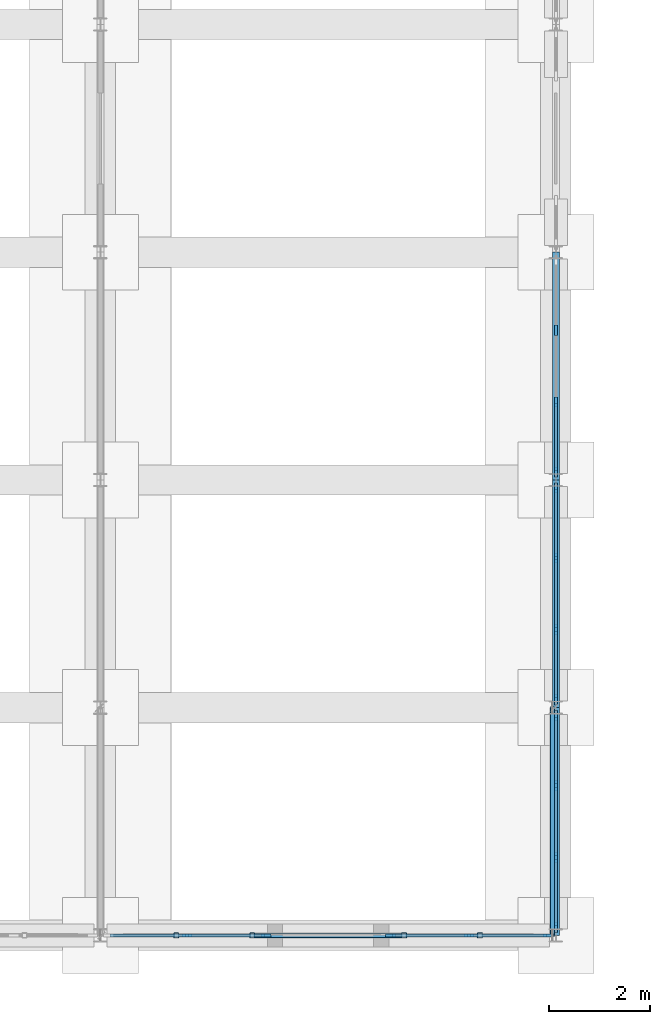
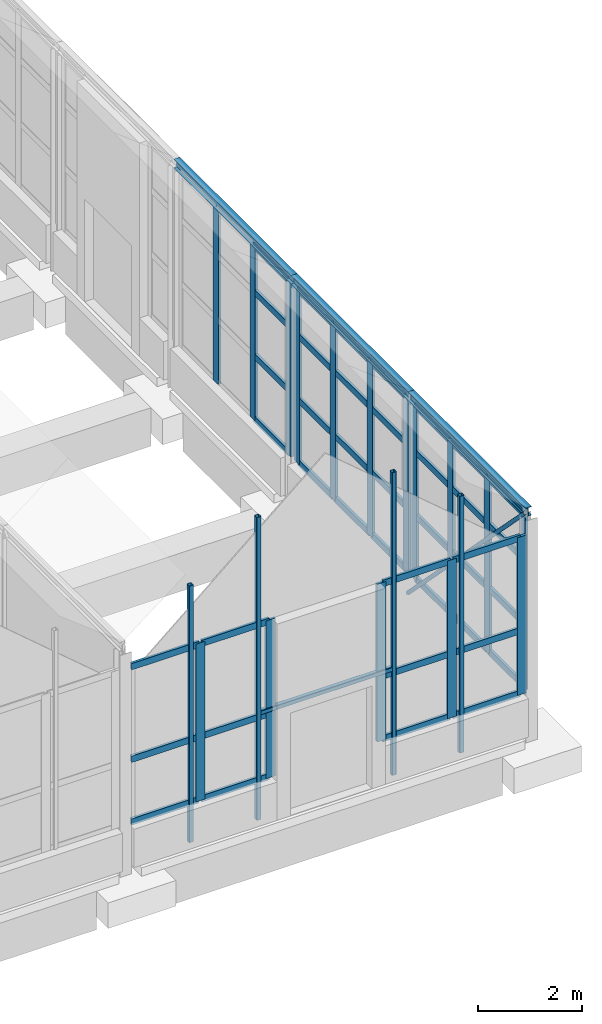
# One storey, part 46 of 106: 62 members, 3 beams, 5 elements without a shape of their own.
"""IFC4 building model written with IfcOpenShell, lengths in metres."""

import ifcopenshell
import ifcopenshell.guid

model = None  # the IFC model being written
_history = None  # IfcOwnerHistory: only IFC2X3 demands one
_inside = {}  # id of a spatial element -> (the spatial element, [elements in it])
_under = {}  # id of a project, library or spatial element -> (it, [spatial elements below it])
_declared = {}  # id of a project -> (the project, [libraries it declares])
_typed = {}  # id of a type object -> (the type object, [elements of that type])
_made_of = {}  # id of a material, layer set ... -> (it, [elements and type objects made of it])


def new_model(schema):
    """Start an empty IFC model of exactly this schema.

    Asked for "IFC4X3", IfcOpenShell would pick the latest addendum, in which some entities
    have other attributes; the version numbers below select the first issue.
    IFC2X3 requires an IfcOwnerHistory on every rooted entity: one is made here for all.
    """
    global model, _history
    if schema == "IFC4X3":
        model = ifcopenshell.file(schema_version=(4, 3, 0, 0))
    else:
        model = ifcopenshell.file(schema=schema)
    _inside.clear()
    _under.clear()
    _declared.clear()
    _typed.clear()
    _made_of.clear()
    _history = None
    if model.schema == "IFC2X3":
        org = make("IfcOrganization", Name="unknown")
        user = make(
            "IfcPersonAndOrganization",
            ThePerson=make("IfcPerson", FamilyName="unknown"),
            TheOrganization=org,
        )
        app = make(
            "IfcApplication",
            ApplicationDeveloper=org,
            Version="unknown",
            ApplicationFullName="unknown",
            ApplicationIdentifier="unknown",
        )
        _history = make(
            "IfcOwnerHistory",
            OwningUser=user,
            OwningApplication=app,
            ChangeAction="ADDED",
            CreationDate=0,
        )
    return model


def make(cls, **values):
    """One entity of the class cls with the attributes given. An attribute that is None is left unset."""
    return model.create_entity(
        cls, **{name: value for name, value in values.items() if value is not None}
    )


def rooted(cls, **values):
    """An entity with a GlobalId (a new one), such as an element, a storey or a relation."""
    return make(cls, GlobalId=ifcopenshell.guid.new(), OwnerHistory=_history, **values)


def si_unit(unit_type, name, prefix=None):
    """IfcSIUnit, for example si_unit("LENGTHUNIT", "METRE", prefix="MILLI")."""
    return make("IfcSIUnit", UnitType=unit_type, Prefix=prefix, Name=name)


def assignment(units):
    """IfcUnitAssignment: the units of a project."""
    return None if units is None else make("IfcUnitAssignment", Units=units)


def point(xyz):
    """IfcCartesianPoint."""
    return None if xyz is None else make("IfcCartesianPoint", Coordinates=xyz)


def direction(xyz):
    """IfcDirection."""
    return None if xyz is None else make("IfcDirection", DirectionRatios=xyz)


def frame(location, z_axis=None, x_axis=None):
    """IfcAxis2Placement3D, a coordinate frame: its origin and axes. An axis left out is left unset."""
    return make(
        "IfcAxis2Placement3D",
        Location=point(location),
        Axis=direction(z_axis),
        RefDirection=direction(x_axis),
    )


def frame_2d(location, x_axis=None):
    """IfcAxis2Placement2D, a coordinate frame in the plane: its origin and x axis."""
    return make(
        "IfcAxis2Placement2D", Location=point(location), RefDirection=direction(x_axis)
    )


def origin():
    """The frame at (0, 0, 0) with its axes left unset."""
    return frame((0.0, 0.0, 0.0))


def origin_2d():
    """The frame at (0, 0) in the plane with its x axis left unset."""
    return frame_2d((0.0, 0.0))


def place(relative_to, where):
    """IfcLocalPlacement: puts the frame where relative to a parent placement (None: the world)."""
    return make(
        "IfcLocalPlacement", PlacementRelTo=relative_to, RelativePlacement=where
    )


def context(
    kind, dimensions, precision=None, world=None, true_north=None, identifier=None
):
    """IfcGeometricRepresentationContext, for example the 3D "Model" context."""
    return make(
        "IfcGeometricRepresentationContext",
        ContextIdentifier=identifier,
        ContextType=kind,
        CoordinateSpaceDimension=dimensions,
        Precision=precision,
        WorldCoordinateSystem=world,
        TrueNorth=true_north,
    )


def subcontext(parent, identifier, kind, view, scale=None):
    """IfcGeometricRepresentationSubContext, for example "Body" below "Model"."""
    return make(
        "IfcGeometricRepresentationSubContext",
        ContextIdentifier=identifier,
        ContextType=kind,
        ParentContext=parent,
        TargetScale=scale,
        TargetView=view,
    )


def project(units=None, contexts=None):
    """IfcProject with its units and contexts."""
    return rooted(
        "IfcProject",
        Name="project",
        RepresentationContexts=contexts,
        UnitsInContext=assignment(units),
    )


def spatial(cls, under=None, at=None, **own):
    """A site, building, storey or space (cls), placed at a placement, below another one or the project."""
    s = rooted(cls, ObjectPlacement=at, **own)
    if under is not None:
        _under.setdefault(under.id(), (under, []))[1].append(s)
    return s


def profile(cls, at=None, kind="AREA", **sizes):
    """A parametric profile (cls). Its sizes go by their IFC names, for example OverallWidth=200.0."""
    return make(cls, ProfileType=kind, Position=at, **sizes)


def rectangle(**sizes):
    """IfcRectangleProfileDef."""
    return profile("IfcRectangleProfileDef", **sizes)


def hollow_rectangle(**sizes):
    """IfcRectangleHollowProfileDef."""
    return profile("IfcRectangleHollowProfileDef", **sizes)


def hollow_circle(**sizes):
    """IfcCircleHollowProfileDef."""
    return profile("IfcCircleHollowProfileDef", **sizes)


def i_section(**sizes):
    """IfcIShapeProfileDef."""
    return profile("IfcIShapeProfileDef", **sizes)


def extrude(swept, where, along, depth):
    """IfcExtrudedAreaSolid: the profile swept, set in the frame where, extruded along a direction by depth."""
    return make(
        "IfcExtrudedAreaSolid",
        SweptArea=swept,
        Position=where,
        ExtrudedDirection=direction(along),
        Depth=depth,
    )


def shape(context_of_items, identifier, shape_type, items):
    """IfcShapeRepresentation: the items that make up one representation, for example the "Body"."""
    return make(
        "IfcShapeRepresentation",
        ContextOfItems=context_of_items,
        RepresentationIdentifier=identifier,
        RepresentationType=shape_type,
        Items=items,
    )


def material(Name=None, Category=None):
    """IfcMaterial."""
    return make("IfcMaterial", Name=Name, Category=Category)


def layer(
    of_material, thickness, ventilated=None, Name=None, Category=None, Priority=None
):
    """IfcMaterialLayer: one layer of a wall or slab, of a material (None: an air gap)."""
    return make(
        "IfcMaterialLayer",
        Material=of_material,
        LayerThickness=thickness,
        IsVentilated=ventilated,
        Name=Name,
        Category=Category,
        Priority=Priority,
    )


def layer_set(layers, Name=None):
    """IfcMaterialLayerSet."""
    return make("IfcMaterialLayerSet", MaterialLayers=layers, LayerSetName=Name)


def material_profile(
    of_material, cross_section, Name=None, Category=None, Priority=None
):
    """IfcMaterialProfile: a cross section and its material."""
    return make(
        "IfcMaterialProfile",
        Name=Name,
        Material=of_material,
        Profile=cross_section,
        Priority=Priority,
        Category=Category,
    )


def profile_set(profiles, Name=None, composite=None):
    """IfcMaterialProfileSet."""
    return make(
        "IfcMaterialProfileSet",
        Name=Name,
        MaterialProfiles=profiles,
        CompositeProfile=composite,
    )


def made_of(thing, what):
    """Note that an element or type object is made of a material, layer set ...; save() writes the relation."""
    if what is not None:
        _made_of.setdefault(what.id(), (what, []))[1].append(thing)
    return thing


def type_object(cls, material=None, **own):
    """A type object (cls), such as IfcWallType, which elements share."""
    return made_of(rooted(cls, **own), material)


def element(
    cls,
    number,
    at=None,
    inside=None,
    cuts=None,
    type_object=None,
    material=None,
    context=None,
    identifier="Body",
    shape_type=None,
    held_by="IfcProductDefinitionShape",
    body=None,
    shapes=None,
    **own,
):
    """One element of the class cls, such as IfcWall. Its Tag is "e" and its number.

    at: its placement. inside: the storey or other place that contains it. cuts: it is an
    opening in that element (IfcRelVoidsElement). A single representation is given by context,
    identifier, shape_type and body (its items); several are given by shapes. held_by: the class
    of the entity that holds the representations. save() writes the other relations.
    """
    e = rooted(cls, Tag="e%d" % number, ObjectPlacement=at, **own)
    if body is not None:
        shapes = [shape(context, identifier, shape_type, body)]
    if shapes is not None:
        e.Representation = make(held_by, Representations=shapes)
    if inside is not None:
        _inside.setdefault(inside.id(), (inside, []))[1].append(e)
    if cuts is not None:
        rooted(
            "IfcRelVoidsElement", RelatingBuildingElement=cuts, RelatedOpeningElement=e
        )
    if type_object is not None:
        _typed.setdefault(type_object.id(), (type_object, []))[1].append(e)
    return made_of(e, material)


def aggregate(whole, parts):
    """IfcRelAggregates: a whole, such as a stair, and the parts it consists of."""
    return rooted("IfcRelAggregates", RelatingObject=whole, RelatedObjects=parts)


def save(model, path):
    """Write the relations noted so far, then the file.

    IfcRelAggregates (storeys below a building ...), IfcRelContainedInSpatialStructure (elements
    in a storey), IfcRelDefinesByType, IfcRelAssociatesMaterial and IfcRelDeclares: one each for
    every whole, place, type object, material and project.
    """
    for whole, parts in _under.values():
        aggregate(whole, parts)
    for where, things in _inside.values():
        rooted(
            "IfcRelContainedInSpatialStructure",
            RelatedElements=things,
            RelatingStructure=where,
        )
    for kind, things in _typed.values():
        rooted("IfcRelDefinesByType", RelatedObjects=things, RelatingType=kind)
    for what, things in _made_of.values():
        rooted("IfcRelAssociatesMaterial", RelatedObjects=things, RelatingMaterial=what)
    for by, libraries in _declared.values():
        rooted("IfcRelDeclares", RelatingContext=by, RelatedDefinitions=libraries)
    model.write(path)


model = new_model("IFC4")

# Units and contexts
model_context = context("Model", 3, precision=1e-05, world=origin(), true_north=direction((0.0, 1.0)))
body_context = subcontext(model_context, "Body", "Model", "MODEL_VIEW")
ifc_project = project(units=[si_unit("LENGTHUNIT", "METRE"), si_unit("AREAUNIT", "SQUARE_METRE"), si_unit("VOLUMEUNIT", "CUBIC_METRE"), si_unit("PLANEANGLEUNIT", "RADIAN"), si_unit("MASSUNIT", "GRAM", prefix="KILO")], contexts=[model_context])

# Site, building, storey
site_placement = place(None, origin())
site = spatial("IfcSite", under=ifc_project, at=site_placement, CompositionType="ELEMENT")
building_placement = place(site_placement, origin())
building = spatial("IfcBuilding", under=site, at=building_placement, Name="Hortulan Conservatory and Botanical Research Centre", CompositionType="ELEMENT")
storey_placement = place(building_placement, origin())
storey = spatial("IfcBuildingStorey", under=building, at=storey_placement, Name="L00", CompositionType="ELEMENT", Elevation=0.0)

# Curtain wall, members
ifc_material_1 = material(Name="Bronze-finished aluminium", Category="aluminium")
ifc_layer = layer(ifc_material_1, 0.10009765625)
ifc_layer_set = layer_set([ifc_layer], Name="Bronze-framed Curtain Wall 1500 module")
curtain_wall_type = type_object("IfcCurtainWallType", Name="Bronze-framed Curtain Wall 1500 module", PredefinedType="NOTDEFINED", material=ifc_layer_set)
curtain_wall_1_placement = place(storey_placement, origin())
curtain_wall_1 = element("IfcCurtainWall", 1, at=curtain_wall_1_placement, inside=storey, type_object=curtain_wall_type, Name="Curtain wall", PredefinedType="NOTDEFINED")
ifc_material_profile_1 = material_profile(ifc_material_1, rectangle(XDim=0.06005859375, YDim=0.199951171875, at=origin_2d()), Name="Bronze Mullion 60x200")
ifc_profile_set_1 = profile_set([ifc_material_profile_1], Name="Bronze-finished aluminium")
member_type_1 = type_object("IfcMemberType", Name="Bronze Mullion 60x200", PredefinedType="MULLION", material=ifc_profile_set_1)
member_1_placement = place(storey_placement, frame((103.343017578125, 0.0, 0.89990234375), z_axis=(0.0, 0.0, 1.0), x_axis=(0.0, -1.0, 0.0)))
member_1 = element("IfcMember", 2, at=member_1_placement, type_object=member_type_1, Name="CW1 mullion 1", PredefinedType="MULLION", context=body_context, shape_type="SweptSolid", body=[
    extrude(rectangle(XDim=0.06005859375, YDim=0.199951171875, at=origin_2d()), origin(), (0.0, 0.0, 1.0), 3.7001953125),
])
member_2_placement = place(storey_placement, frame((101.78662109375, 0.0, 0.89990234375), z_axis=(0.0, 0.0, 1.0), x_axis=(0.0, -1.0, 0.0)))
member_2 = element("IfcMember", 3, at=member_2_placement, type_object=member_type_1, Name="CW1 mullion 2", PredefinedType="MULLION", context=body_context, shape_type="SweptSolid", body=[
    extrude(rectangle(XDim=0.06005859375, YDim=0.199951171875, at=origin_2d()), origin(), (0.0, 0.0, 1.0), 3.7001953125),
])
member_3_placement = place(storey_placement, frame((100.22998046875, 0.0, 0.89990234375), z_axis=(0.0, 0.0, 1.0), x_axis=(0.0, -1.0, 0.0)))
member_3 = element("IfcMember", 4, at=member_3_placement, type_object=member_type_1, Name="CW1 mullion 3", PredefinedType="MULLION", context=body_context, shape_type="SweptSolid", body=[
    extrude(rectangle(XDim=0.06005859375, YDim=0.199951171875, at=origin_2d()), origin(), (0.0, 0.0, 1.0), 3.7001953125),
])

curtain_wall_2_placement = place(storey_placement, origin())
curtain_wall_2 = element("IfcCurtainWall", 5, at=curtain_wall_2_placement, inside=storey, type_object=curtain_wall_type, Name="Curtain wall", PredefinedType="NOTDEFINED")
member_4_placement = place(storey_placement, frame((97.77001953125, 0.0, 0.89990234375), z_axis=(0.0, 0.0, 1.0), x_axis=(0.0, -1.0, 0.0)))
member_4 = element("IfcMember", 6, at=member_4_placement, type_object=member_type_1, Name="CW1 mullion 1", PredefinedType="MULLION", context=body_context, shape_type="SweptSolid", body=[
    extrude(rectangle(XDim=0.06005859375, YDim=0.199951171875, at=origin_2d()), origin(), (0.0, 0.0, 1.0), 3.7001953125),
])
member_5_placement = place(storey_placement, frame((96.21337890625, 0.0, 0.89990234375), z_axis=(0.0, 0.0, 1.0), x_axis=(0.0, -1.0, 0.0)))
member_5 = element("IfcMember", 7, at=member_5_placement, type_object=member_type_1, Name="CW1 mullion 2", PredefinedType="MULLION", context=body_context, shape_type="SweptSolid", body=[
    extrude(rectangle(XDim=0.06005859375, YDim=0.199951171875, at=origin_2d()), origin(), (0.0, 0.0, 1.0), 3.7001953125),
])

curtain_wall_3_placement = place(storey_placement, origin())
curtain_wall_3 = element("IfcCurtainWall", 8, at=curtain_wall_3_placement, inside=storey, type_object=curtain_wall_type, Name="Curtain wall", PredefinedType="NOTDEFINED")
member_6_placement = place(storey_placement, frame((103.5, 0.156982421875, 0.89990234375), z_axis=(0.0, 0.0, 1.0), x_axis=(-1.0, 0.0, 0.0)))
member_6 = element("IfcMember", 9, at=member_6_placement, type_object=member_type_1, Name="CW1 mullion 1", PredefinedType="MULLION", context=body_context, shape_type="SweptSolid", body=[
    extrude(rectangle(XDim=0.06005859375, YDim=0.199951171875, at=origin_2d()), origin(), (0.0, 0.0, 1.0), 4.10009765625),
])
member_7_placement = place(storey_placement, frame((103.5, 1.542236328125, 0.89990234375), z_axis=(0.0, 0.0, 1.0), x_axis=(-1.0, 0.0, 0.0)))
member_7 = element("IfcMember", 10, at=member_7_placement, type_object=member_type_1, Name="CW1 mullion 2", PredefinedType="MULLION", context=body_context, shape_type="SweptSolid", body=[
    extrude(rectangle(XDim=0.06005859375, YDim=0.199951171875, at=origin_2d()), origin(), (0.0, 0.0, 1.0), 4.10009765625),
])
member_8_placement = place(storey_placement, frame((103.5, 2.957763671875, 0.89990234375), z_axis=(0.0, 0.0, 1.0), x_axis=(-1.0, 0.0, 0.0)))
member_8 = element("IfcMember", 11, at=member_8_placement, type_object=member_type_1, Name="CW1 mullion 3", PredefinedType="MULLION", context=body_context, shape_type="SweptSolid", body=[
    extrude(rectangle(XDim=0.06005859375, YDim=0.199951171875, at=origin_2d()), origin(), (0.0, 0.0, 1.0), 4.10009765625),
])
member_9_placement = place(storey_placement, frame((103.5, 4.343017578125, 0.89990234375), z_axis=(0.0, 0.0, 1.0), x_axis=(-1.0, 0.0, 0.0)))
member_9 = element("IfcMember", 12, at=member_9_placement, type_object=member_type_1, Name="CW1 mullion 4", PredefinedType="MULLION", context=body_context, shape_type="SweptSolid", body=[
    extrude(rectangle(XDim=0.06005859375, YDim=0.199951171875, at=origin_2d()), origin(), (0.0, 0.0, 1.0), 4.10009765625),
])

curtain_wall_4_placement = place(storey_placement, origin())
curtain_wall_4 = element("IfcCurtainWall", 13, at=curtain_wall_4_placement, inside=storey, type_object=curtain_wall_type, Name="Curtain wall", PredefinedType="NOTDEFINED")
member_10_placement = place(storey_placement, frame((103.5, 4.656982421875, 0.89990234375), z_axis=(0.0, 0.0, 1.0), x_axis=(-1.0, 0.0, 0.0)))
member_10 = element("IfcMember", 14, at=member_10_placement, type_object=member_type_1, Name="CW1 mullion 1", PredefinedType="MULLION", context=body_context, shape_type="SweptSolid", body=[
    extrude(rectangle(XDim=0.06005859375, YDim=0.199951171875, at=origin_2d()), origin(), (0.0, 0.0, 1.0), 4.10009765625),
])
member_11_placement = place(storey_placement, frame((103.5, 6.042236328125, 0.89990234375), z_axis=(0.0, 0.0, 1.0), x_axis=(-1.0, 0.0, 0.0)))
member_11 = element("IfcMember", 15, at=member_11_placement, type_object=member_type_1, Name="CW1 mullion 2", PredefinedType="MULLION", context=body_context, shape_type="SweptSolid", body=[
    extrude(rectangle(XDim=0.06005859375, YDim=0.199951171875, at=origin_2d()), origin(), (0.0, 0.0, 1.0), 4.10009765625),
])
member_12_placement = place(storey_placement, frame((103.5, 7.457763671875, 0.89990234375), z_axis=(0.0, 0.0, 1.0), x_axis=(-1.0, 0.0, 0.0)))
member_12 = element("IfcMember", 16, at=member_12_placement, type_object=member_type_1, Name="CW1 mullion 3", PredefinedType="MULLION", context=body_context, shape_type="SweptSolid", body=[
    extrude(rectangle(XDim=0.06005859375, YDim=0.199951171875, at=origin_2d()), origin(), (0.0, 0.0, 1.0), 4.10009765625),
])
member_13_placement = place(storey_placement, frame((103.5, 8.843017578125, 0.89990234375), z_axis=(0.0, 0.0, 1.0), x_axis=(-1.0, 0.0, 0.0)))
member_13 = element("IfcMember", 17, at=member_13_placement, type_object=member_type_1, Name="CW1 mullion 4", PredefinedType="MULLION", context=body_context, shape_type="SweptSolid", body=[
    extrude(rectangle(XDim=0.06005859375, YDim=0.199951171875, at=origin_2d()), origin(), (0.0, 0.0, 1.0), 4.10009765625),
])

curtain_wall_5_placement = place(storey_placement, origin())
curtain_wall_5 = element("IfcCurtainWall", 18, at=curtain_wall_5_placement, inside=storey, type_object=curtain_wall_type, Name="Curtain wall", PredefinedType="NOTDEFINED")
member_14_placement = place(storey_placement, frame((103.5, 9.156982421875, 0.89990234375), z_axis=(0.0, 0.0, 1.0), x_axis=(-1.0, 0.0, 0.0)))
member_14 = element("IfcMember", 19, at=member_14_placement, type_object=member_type_1, Name="CW1 mullion 1", PredefinedType="MULLION", context=body_context, shape_type="SweptSolid", body=[
    extrude(rectangle(XDim=0.06005859375, YDim=0.199951171875, at=origin_2d()), origin(), (0.0, 0.0, 1.0), 4.10009765625),
])
member_15_placement = place(storey_placement, frame((103.5, 10.542236328125, 0.89990234375), z_axis=(0.0, 0.0, 1.0), x_axis=(-1.0, 0.0, 0.0)))
member_15 = element("IfcMember", 20, at=member_15_placement, type_object=member_type_1, Name="CW1 mullion 2", PredefinedType="MULLION", context=body_context, shape_type="SweptSolid", body=[
    extrude(rectangle(XDim=0.06005859375, YDim=0.199951171875, at=origin_2d()), origin(), (0.0, 0.0, 1.0), 4.10009765625),
])
member_16_placement = place(storey_placement, frame((103.5, 11.957763671875, 0.89990234375), z_axis=(0.0, 0.0, 1.0), x_axis=(-1.0, 0.0, 0.0)))
member_16 = element("IfcMember", 21, at=member_16_placement, type_object=member_type_1, Name="CW1 mullion 3", PredefinedType="MULLION", context=body_context, shape_type="SweptSolid", body=[
    extrude(rectangle(XDim=0.06005859375, YDim=0.199951171875, at=origin_2d()), origin(), (0.0, 0.0, 1.0), 4.10009765625),
])

# Member
ifc_material_profile_2 = material_profile(ifc_material_1, rectangle(XDim=0.06005859375, YDim=0.14990234375, at=origin_2d()), Name="Bronze Transom 60x150")
ifc_profile_set_2 = profile_set([ifc_material_profile_2], Name="Bronze-finished aluminium")
member_type_2 = type_object("IfcMemberType", Name="Bronze Transom 60x150", PredefinedType="USERDEFINED", material=ifc_profile_set_2)
member_17_placement = place(storey_placement, frame((103.31298828125, 0.0, 0.929931640625), z_axis=(-1.0, 0.0, 0.0), x_axis=(0.0, -1.0, 0.0)))
member_17 = element("IfcMember", 22, at=member_17_placement, type_object=member_type_2, Name="CW1 transom 1.1", ObjectType="TRANSOM", PredefinedType="USERDEFINED", context=body_context, shape_type="SweptSolid", body=[
    extrude(rectangle(XDim=0.06005859375, YDim=0.14990234375, at=origin_2d()), origin(), (0.0, 0.0, 1.0), 1.49658203125),
])

member_18_placement = place(storey_placement, frame((103.31298828125, 0.0, 2.39990234375), z_axis=(-1.0, 0.0, 0.0), x_axis=(0.0, -1.0, 0.0)))
member_18 = element("IfcMember", 23, at=member_18_placement, type_object=member_type_2, Name="CW1 transom 1.2", ObjectType="TRANSOM", PredefinedType="USERDEFINED", context=body_context, shape_type="SweptSolid", body=[
    extrude(rectangle(XDim=0.06005859375, YDim=0.14990234375, at=origin_2d()), origin(), (0.0, 0.0, 1.0), 1.49658203125),
])

member_19_placement = place(storey_placement, frame((103.31298828125, 0.0, 4.570068359375), z_axis=(-1.0, 0.0, 0.0), x_axis=(0.0, -1.0, 0.0)))
member_19 = element("IfcMember", 24, at=member_19_placement, type_object=member_type_2, Name="CW1 transom 1.3", ObjectType="TRANSOM", PredefinedType="USERDEFINED", context=body_context, shape_type="SweptSolid", body=[
    extrude(rectangle(XDim=0.06005859375, YDim=0.14990234375, at=origin_2d()), origin(), (0.0, 0.0, 1.0), 1.49658203125),
])

member_20_placement = place(storey_placement, frame((101.756591796875, 0.0, 0.929931640625), z_axis=(-1.0, 0.0, 0.0), x_axis=(0.0, -1.0, 0.0)))
member_20 = element("IfcMember", 25, at=member_20_placement, type_object=member_type_2, Name="CW1 transom 2.1", ObjectType="TRANSOM", PredefinedType="USERDEFINED", context=body_context, shape_type="SweptSolid", body=[
    extrude(rectangle(XDim=0.06005859375, YDim=0.14990234375, at=origin_2d()), origin(), (0.0, 0.0, 1.0), 1.49658203125),
])

member_21_placement = place(storey_placement, frame((101.756591796875, 0.0, 2.39990234375), z_axis=(-1.0, 0.0, 0.0), x_axis=(0.0, -1.0, 0.0)))
member_21 = element("IfcMember", 26, at=member_21_placement, type_object=member_type_2, Name="CW1 transom 2.2", ObjectType="TRANSOM", PredefinedType="USERDEFINED", context=body_context, shape_type="SweptSolid", body=[
    extrude(rectangle(XDim=0.06005859375, YDim=0.14990234375, at=origin_2d()), origin(), (0.0, 0.0, 1.0), 1.49658203125),
])

member_22_placement = place(storey_placement, frame((101.756591796875, 0.0, 4.570068359375), z_axis=(-1.0, 0.0, 0.0), x_axis=(0.0, -1.0, 0.0)))
member_22 = element("IfcMember", 27, at=member_22_placement, type_object=member_type_2, Name="CW1 transom 2.3", ObjectType="TRANSOM", PredefinedType="USERDEFINED", context=body_context, shape_type="SweptSolid", body=[
    extrude(rectangle(XDim=0.06005859375, YDim=0.14990234375, at=origin_2d()), origin(), (0.0, 0.0, 1.0), 1.49658203125),
])

aggregate(curtain_wall_1, [member_1, member_2, member_3, member_17, member_18, member_19, member_20, member_21, member_22])

member_23_placement = place(storey_placement, frame((97.739990234375, 0.0, 0.929931640625), z_axis=(-1.0, 0.0, 0.0), x_axis=(0.0, -1.0, 0.0)))
member_23 = element("IfcMember", 28, at=member_23_placement, type_object=member_type_2, Name="CW1 transom 1.1", ObjectType="TRANSOM", PredefinedType="USERDEFINED", context=body_context, shape_type="SweptSolid", body=[
    extrude(rectangle(XDim=0.06005859375, YDim=0.14990234375, at=origin_2d()), origin(), (0.0, 0.0, 1.0), 1.49658203125),
])

member_24_placement = place(storey_placement, frame((97.739990234375, 0.0, 2.39990234375), z_axis=(-1.0, 0.0, 0.0), x_axis=(0.0, -1.0, 0.0)))
member_24 = element("IfcMember", 29, at=member_24_placement, type_object=member_type_2, Name="CW1 transom 1.2", ObjectType="TRANSOM", PredefinedType="USERDEFINED", context=body_context, shape_type="SweptSolid", body=[
    extrude(rectangle(XDim=0.06005859375, YDim=0.14990234375, at=origin_2d()), origin(), (0.0, 0.0, 1.0), 1.49658203125),
])

member_25_placement = place(storey_placement, frame((97.739990234375, 0.0, 4.570068359375), z_axis=(-1.0, 0.0, 0.0), x_axis=(0.0, -1.0, 0.0)))
member_25 = element("IfcMember", 30, at=member_25_placement, type_object=member_type_2, Name="CW1 transom 1.3", ObjectType="TRANSOM", PredefinedType="USERDEFINED", context=body_context, shape_type="SweptSolid", body=[
    extrude(rectangle(XDim=0.06005859375, YDim=0.14990234375, at=origin_2d()), origin(), (0.0, 0.0, 1.0), 1.49658203125),
])

member_26_placement = place(storey_placement, frame((96.18359375, 0.0, 0.929931640625), z_axis=(-1.0, 0.0, 0.0), x_axis=(0.0, -1.0, 0.0)))
member_26 = element("IfcMember", 31, at=member_26_placement, type_object=member_type_2, Name="CW1 transom 2.1", ObjectType="TRANSOM", PredefinedType="USERDEFINED", context=body_context, shape_type="SweptSolid", body=[
    extrude(rectangle(XDim=0.06005859375, YDim=0.14990234375, at=origin_2d()), origin(), (0.0, 0.0, 1.0), 1.49658203125),
])

member_27_placement = place(storey_placement, frame((96.18359375, 0.0, 2.39990234375), z_axis=(-1.0, 0.0, 0.0), x_axis=(0.0, -1.0, 0.0)))
member_27 = element("IfcMember", 32, at=member_27_placement, type_object=member_type_2, Name="CW1 transom 2.2", ObjectType="TRANSOM", PredefinedType="USERDEFINED", context=body_context, shape_type="SweptSolid", body=[
    extrude(rectangle(XDim=0.06005859375, YDim=0.14990234375, at=origin_2d()), origin(), (0.0, 0.0, 1.0), 1.49658203125),
])

member_28_placement = place(storey_placement, frame((96.18359375, 0.0, 4.570068359375), z_axis=(-1.0, 0.0, 0.0), x_axis=(0.0, -1.0, 0.0)))
member_28 = element("IfcMember", 33, at=member_28_placement, type_object=member_type_2, Name="CW1 transom 2.3", ObjectType="TRANSOM", PredefinedType="USERDEFINED", context=body_context, shape_type="SweptSolid", body=[
    extrude(rectangle(XDim=0.06005859375, YDim=0.14990234375, at=origin_2d()), origin(), (0.0, 0.0, 1.0), 1.49658203125),
])

aggregate(curtain_wall_2, [member_4, member_5, member_23, member_24, member_25, member_26, member_27, member_28])

member_29_placement = place(storey_placement, frame((103.5, 0.18701171875, 0.929931640625), z_axis=(0.0, 1.0, 0.0), x_axis=(-1.0, 0.0, 0.0)))
member_29 = element("IfcMember", 34, at=member_29_placement, type_object=member_type_2, Name="CW1 transom 1.1", ObjectType="TRANSOM", PredefinedType="USERDEFINED", context=body_context, shape_type="SweptSolid", body=[
    extrude(rectangle(XDim=0.06005859375, YDim=0.14990234375, at=origin_2d()), origin(), (0.0, 0.0, 1.0), 1.325439453125),
])

member_30_placement = place(storey_placement, frame((103.5, 0.18701171875, 2.39990234375), z_axis=(0.0, 1.0, 0.0), x_axis=(-1.0, 0.0, 0.0)))
member_30 = element("IfcMember", 35, at=member_30_placement, type_object=member_type_2, Name="CW1 transom 1.2", ObjectType="TRANSOM", PredefinedType="USERDEFINED", context=body_context, shape_type="SweptSolid", body=[
    extrude(rectangle(XDim=0.06005859375, YDim=0.14990234375, at=origin_2d()), origin(), (0.0, 0.0, 1.0), 1.325439453125),
])

member_31_placement = place(storey_placement, frame((103.5, 0.18701171875, 3.89990234375), z_axis=(0.0, 1.0, 0.0), x_axis=(-1.0, 0.0, 0.0)))
member_31 = element("IfcMember", 36, at=member_31_placement, type_object=member_type_2, Name="CW1 transom 1.3", ObjectType="TRANSOM", PredefinedType="USERDEFINED", context=body_context, shape_type="SweptSolid", body=[
    extrude(rectangle(XDim=0.06005859375, YDim=0.14990234375, at=origin_2d()), origin(), (0.0, 0.0, 1.0), 1.325439453125),
])

member_32_placement = place(storey_placement, frame((103.5, 0.18701171875, 4.969970703125), z_axis=(0.0, 1.0, 0.0), x_axis=(-1.0, 0.0, 0.0)))
member_32 = element("IfcMember", 37, at=member_32_placement, type_object=member_type_2, Name="CW1 transom 1.4", ObjectType="TRANSOM", PredefinedType="USERDEFINED", context=body_context, shape_type="SweptSolid", body=[
    extrude(rectangle(XDim=0.06005859375, YDim=0.14990234375, at=origin_2d()), origin(), (0.0, 0.0, 1.0), 1.325439453125),
])

member_33_placement = place(storey_placement, frame((103.5, 1.572265625, 0.929931640625), z_axis=(0.0, 1.0, 0.0), x_axis=(-1.0, 0.0, 0.0)))
member_33 = element("IfcMember", 38, at=member_33_placement, type_object=member_type_2, Name="CW1 transom 2.1", ObjectType="TRANSOM", PredefinedType="USERDEFINED", context=body_context, shape_type="SweptSolid", body=[
    extrude(rectangle(XDim=0.06005859375, YDim=0.14990234375, at=origin_2d()), origin(), (0.0, 0.0, 1.0), 1.35546875),
])

member_34_placement = place(storey_placement, frame((103.5, 1.572265625, 2.39990234375), z_axis=(0.0, 1.0, 0.0), x_axis=(-1.0, 0.0, 0.0)))
member_34 = element("IfcMember", 39, at=member_34_placement, type_object=member_type_2, Name="CW1 transom 2.2", ObjectType="TRANSOM", PredefinedType="USERDEFINED", context=body_context, shape_type="SweptSolid", body=[
    extrude(rectangle(XDim=0.06005859375, YDim=0.14990234375, at=origin_2d()), origin(), (0.0, 0.0, 1.0), 1.35546875),
])

member_35_placement = place(storey_placement, frame((103.5, 1.572265625, 3.89990234375), z_axis=(0.0, 1.0, 0.0), x_axis=(-1.0, 0.0, 0.0)))
member_35 = element("IfcMember", 40, at=member_35_placement, type_object=member_type_2, Name="CW1 transom 2.3", ObjectType="TRANSOM", PredefinedType="USERDEFINED", context=body_context, shape_type="SweptSolid", body=[
    extrude(rectangle(XDim=0.06005859375, YDim=0.14990234375, at=origin_2d()), origin(), (0.0, 0.0, 1.0), 1.35546875),
])

member_36_placement = place(storey_placement, frame((103.5, 1.572265625, 4.969970703125), z_axis=(0.0, 1.0, 0.0), x_axis=(-1.0, 0.0, 0.0)))
member_36 = element("IfcMember", 41, at=member_36_placement, type_object=member_type_2, Name="CW1 transom 2.4", ObjectType="TRANSOM", PredefinedType="USERDEFINED", context=body_context, shape_type="SweptSolid", body=[
    extrude(rectangle(XDim=0.06005859375, YDim=0.14990234375, at=origin_2d()), origin(), (0.0, 0.0, 1.0), 1.35546875),
])

member_37_placement = place(storey_placement, frame((103.5, 2.987548828125, 0.929931640625), z_axis=(0.0, 1.0, 0.0), x_axis=(-1.0, 0.0, 0.0)))
member_37 = element("IfcMember", 42, at=member_37_placement, type_object=member_type_2, Name="CW1 transom 3.1", ObjectType="TRANSOM", PredefinedType="USERDEFINED", context=body_context, shape_type="SweptSolid", body=[
    extrude(rectangle(XDim=0.06005859375, YDim=0.14990234375, at=origin_2d()), origin(), (0.0, 0.0, 1.0), 1.325439453125),
])

member_38_placement = place(storey_placement, frame((103.5, 2.987548828125, 2.39990234375), z_axis=(0.0, 1.0, 0.0), x_axis=(-1.0, 0.0, 0.0)))
member_38 = element("IfcMember", 43, at=member_38_placement, type_object=member_type_2, Name="CW1 transom 3.2", ObjectType="TRANSOM", PredefinedType="USERDEFINED", context=body_context, shape_type="SweptSolid", body=[
    extrude(rectangle(XDim=0.06005859375, YDim=0.14990234375, at=origin_2d()), origin(), (0.0, 0.0, 1.0), 1.325439453125),
])

member_39_placement = place(storey_placement, frame((103.5, 2.987548828125, 3.89990234375), z_axis=(0.0, 1.0, 0.0), x_axis=(-1.0, 0.0, 0.0)))
member_39 = element("IfcMember", 44, at=member_39_placement, type_object=member_type_2, Name="CW1 transom 3.3", ObjectType="TRANSOM", PredefinedType="USERDEFINED", context=body_context, shape_type="SweptSolid", body=[
    extrude(rectangle(XDim=0.06005859375, YDim=0.14990234375, at=origin_2d()), origin(), (0.0, 0.0, 1.0), 1.325439453125),
])

member_40_placement = place(storey_placement, frame((103.5, 2.987548828125, 4.969970703125), z_axis=(0.0, 1.0, 0.0), x_axis=(-1.0, 0.0, 0.0)))
member_40 = element("IfcMember", 45, at=member_40_placement, type_object=member_type_2, Name="CW1 transom 3.4", ObjectType="TRANSOM", PredefinedType="USERDEFINED", context=body_context, shape_type="SweptSolid", body=[
    extrude(rectangle(XDim=0.06005859375, YDim=0.14990234375, at=origin_2d()), origin(), (0.0, 0.0, 1.0), 1.325439453125),
])

aggregate(curtain_wall_3, [member_6, member_7, member_8, member_9, member_29, member_30, member_31, member_32, member_33, member_34, member_35, member_36, member_37, member_38, member_39, member_40])

member_41_placement = place(storey_placement, frame((103.5, 4.68701171875, 0.929931640625), z_axis=(0.0, 1.0, 0.0), x_axis=(-1.0, 0.0, 0.0)))
member_41 = element("IfcMember", 46, at=member_41_placement, type_object=member_type_2, Name="CW1 transom 1.1", ObjectType="TRANSOM", PredefinedType="USERDEFINED", context=body_context, shape_type="SweptSolid", body=[
    extrude(rectangle(XDim=0.06005859375, YDim=0.14990234375, at=origin_2d()), origin(), (0.0, 0.0, 1.0), 1.325439453125),
])

member_42_placement = place(storey_placement, frame((103.5, 4.68701171875, 2.39990234375), z_axis=(0.0, 1.0, 0.0), x_axis=(-1.0, 0.0, 0.0)))
member_42 = element("IfcMember", 47, at=member_42_placement, type_object=member_type_2, Name="CW1 transom 1.2", ObjectType="TRANSOM", PredefinedType="USERDEFINED", context=body_context, shape_type="SweptSolid", body=[
    extrude(rectangle(XDim=0.06005859375, YDim=0.14990234375, at=origin_2d()), origin(), (0.0, 0.0, 1.0), 1.325439453125),
])

member_43_placement = place(storey_placement, frame((103.5, 4.68701171875, 3.89990234375), z_axis=(0.0, 1.0, 0.0), x_axis=(-1.0, 0.0, 0.0)))
member_43 = element("IfcMember", 48, at=member_43_placement, type_object=member_type_2, Name="CW1 transom 1.3", ObjectType="TRANSOM", PredefinedType="USERDEFINED", context=body_context, shape_type="SweptSolid", body=[
    extrude(rectangle(XDim=0.06005859375, YDim=0.14990234375, at=origin_2d()), origin(), (0.0, 0.0, 1.0), 1.325439453125),
])

member_44_placement = place(storey_placement, frame((103.5, 4.68701171875, 4.969970703125), z_axis=(0.0, 1.0, 0.0), x_axis=(-1.0, 0.0, 0.0)))
member_44 = element("IfcMember", 49, at=member_44_placement, type_object=member_type_2, Name="CW1 transom 1.4", ObjectType="TRANSOM", PredefinedType="USERDEFINED", context=body_context, shape_type="SweptSolid", body=[
    extrude(rectangle(XDim=0.06005859375, YDim=0.14990234375, at=origin_2d()), origin(), (0.0, 0.0, 1.0), 1.325439453125),
])

member_45_placement = place(storey_placement, frame((103.5, 6.072265625, 0.929931640625), z_axis=(0.0, 1.0, 0.0), x_axis=(-1.0, 0.0, 0.0)))
member_45 = element("IfcMember", 50, at=member_45_placement, type_object=member_type_2, Name="CW1 transom 2.1", ObjectType="TRANSOM", PredefinedType="USERDEFINED", context=body_context, shape_type="SweptSolid", body=[
    extrude(rectangle(XDim=0.06005859375, YDim=0.14990234375, at=origin_2d()), origin(), (0.0, 0.0, 1.0), 1.35546875),
])

member_46_placement = place(storey_placement, frame((103.5, 6.072265625, 2.39990234375), z_axis=(0.0, 1.0, 0.0), x_axis=(-1.0, 0.0, 0.0)))
member_46 = element("IfcMember", 51, at=member_46_placement, type_object=member_type_2, Name="CW1 transom 2.2", ObjectType="TRANSOM", PredefinedType="USERDEFINED", context=body_context, shape_type="SweptSolid", body=[
    extrude(rectangle(XDim=0.06005859375, YDim=0.14990234375, at=origin_2d()), origin(), (0.0, 0.0, 1.0), 1.35546875),
])

member_47_placement = place(storey_placement, frame((103.5, 6.072265625, 3.89990234375), z_axis=(0.0, 1.0, 0.0), x_axis=(-1.0, 0.0, 0.0)))
member_47 = element("IfcMember", 52, at=member_47_placement, type_object=member_type_2, Name="CW1 transom 2.3", ObjectType="TRANSOM", PredefinedType="USERDEFINED", context=body_context, shape_type="SweptSolid", body=[
    extrude(rectangle(XDim=0.06005859375, YDim=0.14990234375, at=origin_2d()), origin(), (0.0, 0.0, 1.0), 1.35546875),
])

member_48_placement = place(storey_placement, frame((103.5, 6.072265625, 4.969970703125), z_axis=(0.0, 1.0, 0.0), x_axis=(-1.0, 0.0, 0.0)))
member_48 = element("IfcMember", 53, at=member_48_placement, type_object=member_type_2, Name="CW1 transom 2.4", ObjectType="TRANSOM", PredefinedType="USERDEFINED", context=body_context, shape_type="SweptSolid", body=[
    extrude(rectangle(XDim=0.06005859375, YDim=0.14990234375, at=origin_2d()), origin(), (0.0, 0.0, 1.0), 1.35546875),
])

member_49_placement = place(storey_placement, frame((103.5, 7.487548828125, 0.929931640625), z_axis=(0.0, 1.0, 0.0), x_axis=(-1.0, 0.0, 0.0)))
member_49 = element("IfcMember", 54, at=member_49_placement, type_object=member_type_2, Name="CW1 transom 3.1", ObjectType="TRANSOM", PredefinedType="USERDEFINED", context=body_context, shape_type="SweptSolid", body=[
    extrude(rectangle(XDim=0.06005859375, YDim=0.14990234375, at=origin_2d()), origin(), (0.0, 0.0, 1.0), 1.325439453125),
])

member_50_placement = place(storey_placement, frame((103.5, 7.487548828125, 2.39990234375), z_axis=(0.0, 1.0, 0.0), x_axis=(-1.0, 0.0, 0.0)))
member_50 = element("IfcMember", 55, at=member_50_placement, type_object=member_type_2, Name="CW1 transom 3.2", ObjectType="TRANSOM", PredefinedType="USERDEFINED", context=body_context, shape_type="SweptSolid", body=[
    extrude(rectangle(XDim=0.06005859375, YDim=0.14990234375, at=origin_2d()), origin(), (0.0, 0.0, 1.0), 1.325439453125),
])

member_51_placement = place(storey_placement, frame((103.5, 7.487548828125, 3.89990234375), z_axis=(0.0, 1.0, 0.0), x_axis=(-1.0, 0.0, 0.0)))
member_51 = element("IfcMember", 56, at=member_51_placement, type_object=member_type_2, Name="CW1 transom 3.3", ObjectType="TRANSOM", PredefinedType="USERDEFINED", context=body_context, shape_type="SweptSolid", body=[
    extrude(rectangle(XDim=0.06005859375, YDim=0.14990234375, at=origin_2d()), origin(), (0.0, 0.0, 1.0), 1.325439453125),
])

member_52_placement = place(storey_placement, frame((103.5, 7.487548828125, 4.969970703125), z_axis=(0.0, 1.0, 0.0), x_axis=(-1.0, 0.0, 0.0)))
member_52 = element("IfcMember", 57, at=member_52_placement, type_object=member_type_2, Name="CW1 transom 3.4", ObjectType="TRANSOM", PredefinedType="USERDEFINED", context=body_context, shape_type="SweptSolid", body=[
    extrude(rectangle(XDim=0.06005859375, YDim=0.14990234375, at=origin_2d()), origin(), (0.0, 0.0, 1.0), 1.325439453125),
])

aggregate(curtain_wall_4, [member_10, member_11, member_12, member_13, member_41, member_42, member_43, member_44, member_45, member_46, member_47, member_48, member_49, member_50, member_51, member_52])

member_53_placement = place(storey_placement, frame((103.5, 9.18701171875, 0.929931640625), z_axis=(0.0, 1.0, 0.0), x_axis=(-1.0, 0.0, 0.0)))
member_53 = element("IfcMember", 58, at=member_53_placement, type_object=member_type_2, Name="CW1 transom 1.1", ObjectType="TRANSOM", PredefinedType="USERDEFINED", context=body_context, shape_type="SweptSolid", body=[
    extrude(rectangle(XDim=0.06005859375, YDim=0.14990234375, at=origin_2d()), origin(), (0.0, 0.0, 1.0), 1.325439453125),
])

member_54_placement = place(storey_placement, frame((103.5, 9.18701171875, 2.39990234375), z_axis=(0.0, 1.0, 0.0), x_axis=(-1.0, 0.0, 0.0)))
member_54 = element("IfcMember", 59, at=member_54_placement, type_object=member_type_2, Name="CW1 transom 1.2", ObjectType="TRANSOM", PredefinedType="USERDEFINED", context=body_context, shape_type="SweptSolid", body=[
    extrude(rectangle(XDim=0.06005859375, YDim=0.14990234375, at=origin_2d()), origin(), (0.0, 0.0, 1.0), 1.325439453125),
])

member_55_placement = place(storey_placement, frame((103.5, 9.18701171875, 3.89990234375), z_axis=(0.0, 1.0, 0.0), x_axis=(-1.0, 0.0, 0.0)))
member_55 = element("IfcMember", 60, at=member_55_placement, type_object=member_type_2, Name="CW1 transom 1.3", ObjectType="TRANSOM", PredefinedType="USERDEFINED", context=body_context, shape_type="SweptSolid", body=[
    extrude(rectangle(XDim=0.06005859375, YDim=0.14990234375, at=origin_2d()), origin(), (0.0, 0.0, 1.0), 1.325439453125),
])

member_56_placement = place(storey_placement, frame((103.5, 9.18701171875, 4.969970703125), z_axis=(0.0, 1.0, 0.0), x_axis=(-1.0, 0.0, 0.0)))
member_56 = element("IfcMember", 61, at=member_56_placement, type_object=member_type_2, Name="CW1 transom 1.4", ObjectType="TRANSOM", PredefinedType="USERDEFINED", context=body_context, shape_type="SweptSolid", body=[
    extrude(rectangle(XDim=0.06005859375, YDim=0.14990234375, at=origin_2d()), origin(), (0.0, 0.0, 1.0), 1.325439453125),
])

aggregate(curtain_wall_5, [member_14, member_15, member_16, member_53, member_54, member_55, member_56])

ifc_material_2 = material(Name="Steel Grade C350L0 (350 MPa, AS/NZS 1163)", Category="steel")
ifc_material_profile_3 = material_profile(ifc_material_2, hollow_circle(Radius=0.04443359375, WallThickness=0.005859375, at=origin_2d()), Name="88.9x5.9CHS")
ifc_profile_set_3 = profile_set([ifc_material_profile_3], Name="Steel Grade C350L0 (350 MPa, AS/NZS 1163)")
member_type_3 = type_object("IfcMemberType", Name="Climate House Bracing 88.9x5.9 CHS", PredefinedType="BRACE", material=ifc_profile_set_3)
member_57_placement = place(storey_placement, frame((103.431640625, 4.5, 0.5), z_axis=(0.0, -0.699021115287, 0.715101028095), x_axis=(1.0, 0.0, 0.0)))
element("IfcMember", 62, at=member_57_placement, inside=storey, type_object=member_type_3, Name="Climate house wall bracing line 4 end bay 1", PredefinedType="BRACE", context=body_context, shape_type="SweptSolid", body=[
    extrude(hollow_circle(Radius=0.04443359375, WallThickness=0.005859375, at=origin_2d()), origin(), (0.0, 0.0, 1.0), 6.4375),
])

# Beams
ifc_material_3 = material(Name="Steel Grade 300PLUS (AS/NZS 3679.1, 280 MPa minimum yield)", Category="steel")
ifc_material_profile_4 = material_profile(ifc_material_3, i_section(OverallWidth=0.134033203125, OverallDepth=0.20703125, WebThickness=0.00634765625, FlangeThickness=0.009521484375, FilletRadius=0.0087890625, at=origin_2d()), Name="200UB29.8")
ifc_profile_set_4 = profile_set([ifc_material_profile_4], Name="Steel Grade 300PLUS (AS/NZS 3679.1, 280 MPa minimum yield)")
beam_type = type_object("IfcBeamType", Name="Climate House Eaves Beam 200UB29.8", PredefinedType="BEAM", material=ifc_profile_set_4)
for number, where, z_axis, x_axis, name in (
    (63, (103.5, 0.0, 5.103515625), (0.0, 1.0, 0.0), (-1.0, 0.0, 0.0), "Climate house eaves beam line 4 bay 1"),
    (64, (103.5, 4.5, 5.103515625), (0.0, 1.0, 0.0), (-1.0, 0.0, 0.0), "Climate house eaves beam line 4 bay 2"),
    (65, (103.5, 9.0, 5.103515625), (0.0, 1.0, 0.0), (-1.0, 0.0, 0.0), "Climate house eaves beam line 4 bay 3"),
):
    element("IfcBeam", number, at=place(storey_placement, frame(where, z_axis=z_axis, x_axis=x_axis)), inside=storey, type_object=beam_type, Name=name, PredefinedType="BEAM", context=body_context, shape_type="SweptSolid", body=[
        extrude(i_section(OverallWidth=0.134033203125, OverallDepth=0.20703125, WebThickness=0.00634765625, FlangeThickness=0.009521484375, FilletRadius=0.0087890625, at=origin_2d()), origin(), (0.0, 0.0, 1.0), 4.5),
    ])

# Members
ifc_material_4 = material(Name="Steel Grade C450L0 (450 MPa, AS/NZS 1163)", Category="steel")
ifc_material_profile_5 = material_profile(ifc_material_4, hollow_rectangle(XDim=0.10009765625, YDim=0.10009765625, WallThickness=0.006103515625, InnerFilletRadius=0.009033203125, OuterFilletRadius=0.014892578125, at=origin_2d()), Name="100x100x6SHS")
ifc_profile_set_5 = profile_set([ifc_material_profile_5], Name="Steel Grade C450L0 (450 MPa, AS/NZS 1163)")
member_type_4 = type_object("IfcMemberType", Name="Climate House Gable Post 100x100x6 SHS", PredefinedType="POST", material=ifc_profile_set_5)
member_58_placement = place(storey_placement, frame((96.0, 0.0, 0.010009765625), z_axis=(0.0, 0.0, 1.0), x_axis=(1.0, 0.0, 0.0)))
element("IfcMember", 66, at=member_58_placement, inside=storey, type_object=member_type_4, Name="Propagation and Quarantine Glasshouse gable post S 1.5", PredefinedType="POST", context=body_context, shape_type="SweptSolid", body=[
    extrude(hollow_rectangle(XDim=0.10009765625, YDim=0.10009765625, WallThickness=0.006103515625, InnerFilletRadius=0.009033203125, OuterFilletRadius=0.014892578125, at=origin_2d()), origin(), (0.0, 0.0, 1.0), 6.0185546875),
])
for number, where, z_axis, x_axis, name in (
    (67, (97.5, 0.0, 0.010009765625), (0.0, 0.0, 1.0), (1.0, 0.0, 0.0), "Propagation and Quarantine Glasshouse gable post S 3"),
    (68, (100.5, 0.0, 0.010009765625), (0.0, 0.0, 1.0), (1.0, 0.0, 0.0), "Propagation and Quarantine Glasshouse gable post S 6"),
):
    element("IfcMember", number, at=place(storey_placement, frame(where, z_axis=z_axis, x_axis=x_axis)), inside=storey, type_object=member_type_4, Name=name, PredefinedType="POST", context=body_context, shape_type="SweptSolid", body=[
        extrude(hollow_rectangle(XDim=0.10009765625, YDim=0.10009765625, WallThickness=0.006103515625, InnerFilletRadius=0.009033203125, OuterFilletRadius=0.014892578125, at=origin_2d()), origin(), (0.0, 0.0, 1.0), 7.098876953125),
    ])
member_59_placement = place(storey_placement, frame((102.0, 0.0, 0.010009765625), z_axis=(0.0, 0.0, 1.0), x_axis=(1.0, 0.0, 0.0)))
element("IfcMember", 69, at=member_59_placement, inside=storey, type_object=member_type_4, Name="Propagation and Quarantine Glasshouse gable post S 7.5", PredefinedType="POST", context=body_context, shape_type="SweptSolid", body=[
    extrude(hollow_rectangle(XDim=0.10009765625, YDim=0.10009765625, WallThickness=0.006103515625, InnerFilletRadius=0.009033203125, OuterFilletRadius=0.014892578125, at=origin_2d()), origin(), (0.0, 0.0, 1.0), 6.0185546875),
])
member_60_placement = place(storey_placement, frame((97.5, 0.0, 2.5), z_axis=(1.0, 0.0, 0.0), x_axis=(0.0, 1.0, 0.0)))
element("IfcMember", 70, at=member_60_placement, inside=storey, type_object=member_type_4, Name="Propagation and Quarantine Glasshouse gable door head", PredefinedType="POST", context=body_context, shape_type="SweptSolid", body=[
    extrude(hollow_rectangle(XDim=0.10009765625, YDim=0.10009765625, WallThickness=0.006103515625, InnerFilletRadius=0.009033203125, OuterFilletRadius=0.014892578125, at=origin_2d()), origin(), (0.0, 0.0, 1.0), 3.0),
])

save(model, "model.ifc")
